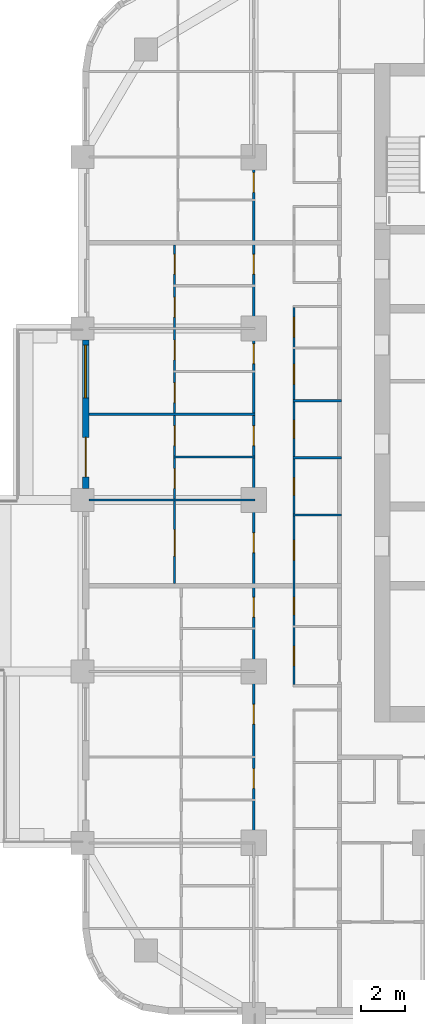
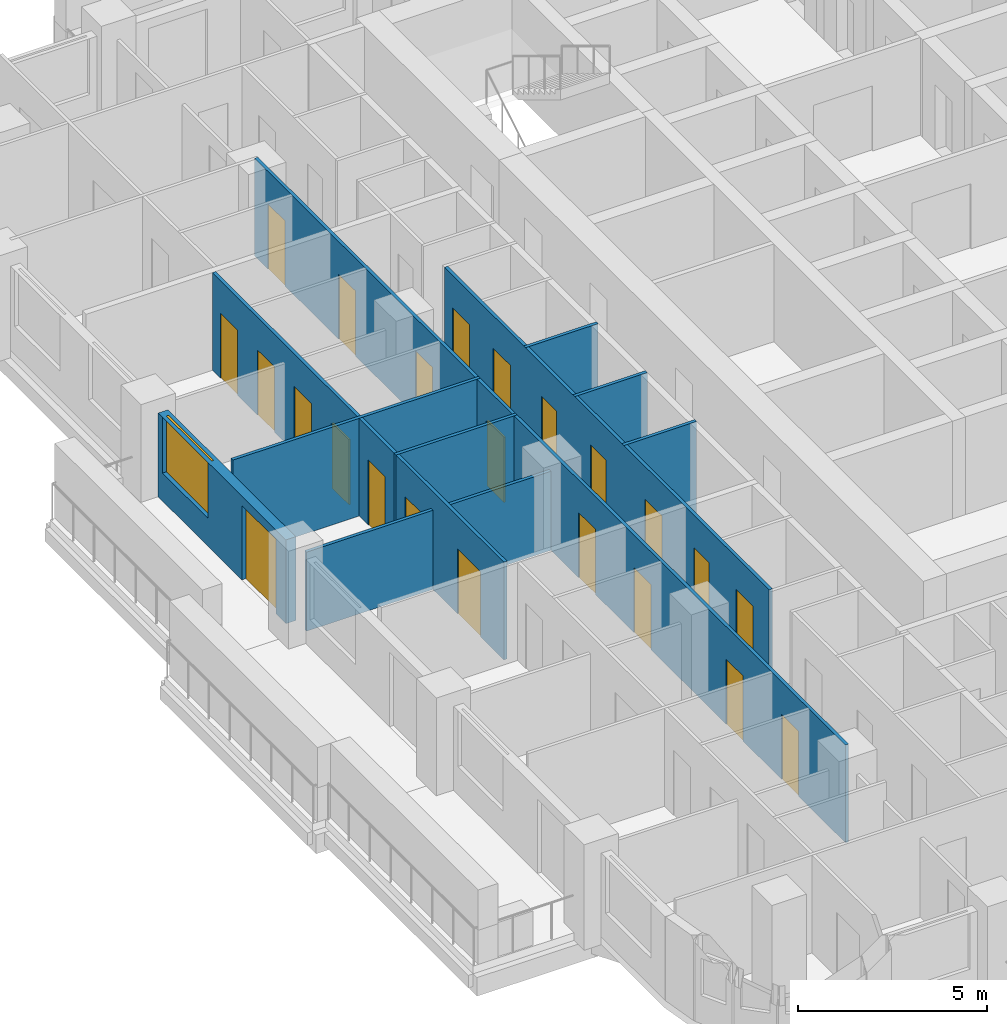
# One storey, part 5 of 17: 23 doors, 10 walls, 1 window, 24 openings.
"""IFC4 building model written with IfcOpenShell, lengths in metres."""

from ifc_helpers import new_model, si_unit, direction, frame, frame_2d, origin, place, context, subcontext, project, spatial, rectangle, extrude, material, layer, layer_set, type_object, element, fill, save


model = new_model("IFC4")

# Units and contexts
model_context = context("Model", 3, precision=1e-05, world=origin(), true_north=direction((0.0, 1.0)))
body_context = subcontext(model_context, "Body", "Model", "MODEL_VIEW")
ifc_project = project(units=[si_unit("LENGTHUNIT", "METRE"), si_unit("AREAUNIT", "SQUARE_METRE"), si_unit("VOLUMEUNIT", "CUBIC_METRE"), si_unit("PLANEANGLEUNIT", "RADIAN"), si_unit("MASSUNIT", "GRAM", prefix="KILO")], contexts=[model_context])

# Site, building, storey
site_placement = place(None, origin())
site = spatial("IfcSite", under=ifc_project, at=site_placement, CompositionType="ELEMENT")
building_placement = place(site_placement, origin())
building = spatial("IfcBuilding", under=site, at=building_placement, Name="Ludao Terraces", CompositionType="ELEMENT")
storey_placement = place(building_placement, frame((0.0, 0.0, 54.60009765625)))
storey = spatial("IfcBuildingStorey", under=building, at=storey_placement, Name="L14", CompositionType="ELEMENT", Elevation=54.60009765625)

# Wall, openings, door, window
ifc_material_1 = material(Name="Granite cladding", Category="masonry")
ifc_layer_1 = layer(ifc_material_1, 0.0400390625, Category="stone")
ifc_material_2 = material(Name="Mineral wool")
ifc_layer_2 = layer(ifc_material_2, 0.06005859375)
ifc_material_3 = material(Name="Concrete C40", Category="concrete")
ifc_layer_3 = layer(ifc_material_3, 0.199951171875, Category="concrete")
ifc_layer_set_1 = layer_set([ifc_layer_1, ifc_layer_2, ifc_layer_3], Name="ENV Stone-clad wall 300")
wall_type_1 = type_object("IfcWallType", Name="ENV Stone-clad wall 300", PredefinedType="SOLIDWALL", material=ifc_layer_set_1)
wall_1_placement = place(storey_placement, frame((61.75, 65.52490234375, 0.0), z_axis=(0.0, 0.0, 1.0), x_axis=(0.0, 1.0, 0.0)))
wall_1 = element("IfcWall", 1, at=wall_1_placement, inside=storey, type_object=wall_type_1, Name="EW-L14-W4", PredefinedType="SOLIDWALL", context=body_context, shape_type="SweptSolid", body=[
    extrude(rectangle(XDim=6.75, YDim=0.300048828125, at=frame_2d((3.375, 0.0))), origin(), (0.0, 0.0, 1.0), 2.699951171875),
])
opening_1_placement = place(wall_1_placement, frame((0.52490234375, 0.0, 0.0)))
opening_1 = element("IfcOpeningElement", 2, at=opening_1_placement, cuts=wall_1, Name="Opening BD", PredefinedType="OPENING", context=body_context, shape_type="SweptSolid", body=[
    extrude(rectangle(XDim=1.800048828125, YDim=2.39990234375, at=frame_2d((0.89990234375, 1.199951171875))), frame((0.0, 0.16015625, 0.0), z_axis=(0.0, -1.0, 0.0), x_axis=(1.0, 0.0, 0.0)), (0.0, 0.0, 1.0), 0.320068359375),
])
opening_2_placement = place(wall_1_placement, frame((4.125, 0.0, 0.89990234375)))
opening_2 = element("IfcOpeningElement", 3, at=opening_2_placement, cuts=wall_1, Name="Opening W1", PredefinedType="OPENING", context=body_context, shape_type="SweptSolid", body=[
    extrude(rectangle(XDim=2.39990234375, YDim=1.800048828125, at=frame_2d((1.199951171875, 0.89990234375))), frame((0.0, 0.16015625, 0.0), z_axis=(0.0, -1.0, 0.0), x_axis=(1.0, 0.0, 0.0)), (0.0, 0.0, 1.0), 0.320068359375),
])
ifc_material_4 = material(Name="Aluminium glazed door", Category="aluminium")
ifc_layer_4 = layer(ifc_material_4, 0.06005859375)
ifc_layer_set_2 = layer_set([ifc_layer_4], Name="ENV Balcony door BD 1800x2400")
door_type_1 = type_object("IfcDoorType", Name="ENV Balcony door BD 1800x2400", OperationType="DOUBLE_DOOR_SINGLE_SWING", PredefinedType="DOOR", material=ifc_layer_set_2)
door_1_placement = place(opening_1_placement, origin())
door_1 = element("IfcDoor", 4, at=door_1_placement, inside=storey, type_object=door_type_1, Name="BD-L14-W4-1", OperationType="DOUBLE_DOOR_SINGLE_SWING", OverallHeight=2.39990234375, OverallWidth=1.800048828125, PredefinedType="DOOR", context=body_context, shape_type="SweptSolid", body=[
    extrude(rectangle(XDim=1.800048828125, YDim=2.39990234375, at=frame_2d((0.89990234375, 1.199951171875))), frame((0.0, 0.02490234375, 0.0), z_axis=(0.0, -1.0, 0.0), x_axis=(1.0, 0.0, 0.0)), (0.0, 0.0, 1.0), 0.050048828125),
])
fill(opening_1, door_1)
ifc_material_5 = material(Name="Clear glass in aluminium frame", Category="aluminium")
ifc_layer_5 = layer(ifc_material_5, 0.06005859375)
ifc_layer_set_3 = layer_set([ifc_layer_5], Name="ENV Window W1 2400x1800")
window_type = type_object("IfcWindowType", Name="ENV Window W1 2400x1800", PartitioningType="DOUBLE_PANEL_VERTICAL", PredefinedType="WINDOW", material=ifc_layer_set_3)
window_placement = place(opening_2_placement, origin())
window = element("IfcWindow", 5, at=window_placement, inside=storey, type_object=window_type, Name="W-L14-W4-2", OverallHeight=1.800048828125, OverallWidth=2.39990234375, PartitioningType="DOUBLE_PANEL_VERTICAL", PredefinedType="WINDOW", context=body_context, shape_type="SweptSolid", body=[
    extrude(rectangle(XDim=2.39990234375, YDim=1.800048828125, at=frame_2d((1.199951171875, 0.89990234375))), frame((0.0, 0.030029296875, 0.0), z_axis=(0.0, -1.0, 0.0), x_axis=(1.0, 0.0, 0.0)), (0.0, 0.0, 1.0), 0.06005859375),
])
fill(opening_2, window)

# Walls
ifc_material_6 = material(Name="Gypsum plasterboard", Category="gypsum")
ifc_layer_6 = layer(ifc_material_6, 0.012451171875, Category="gypsum")
ifc_layer_7 = layer(ifc_material_2, 0.06005859375, Name="insulation")
ifc_material_7 = material(Name="Steel Q235", Category="steel")
ifc_layer_8 = layer(ifc_material_7, 0.014892578125, Name="stud")
ifc_layer_9 = layer(ifc_material_6, 0.012451171875, Category="gypsum")
ifc_layer_set_4 = layer_set([ifc_layer_6, ifc_layer_7, ifc_layer_8, ifc_layer_9], Name="INT Partition 100")
wall_type_2 = type_object("IfcWallType", Name="INT Partition 100", PredefinedType="PARTITIONING", material=ifc_layer_set_4)
wall_2_placement = place(storey_placement, frame((71.18017578125, 64.320068359375, 0.0), z_axis=(0.0, 0.0, 1.0), x_axis=(1.0, 0.0, 0.0)))
element("IfcWall", 6, at=wall_2_placement, inside=storey, type_object=wall_type_2, Name="PW-L14-PW038", PredefinedType="PARTITIONING", context=body_context, shape_type="SweptSolid", body=[
    extrude(rectangle(XDim=2.219970703125, YDim=0.10009765625, at=frame_2d((1.10986328125, 0.0))), origin(), (0.0, 0.0, 1.0), 3.14990234375),
])
wall_3_placement = place(storey_placement, frame((61.900146484375, 65.0, 0.0), z_axis=(0.0, 0.0, 1.0), x_axis=(1.0, 0.0, 0.0)))
element("IfcWall", 7, at=wall_3_placement, inside=storey, type_object=wall_type_2, Name="PW-L14-PW039", PredefinedType="PARTITIONING", context=body_context, shape_type="SweptSolid", body=[
    extrude(rectangle(XDim=7.550048828125, YDim=0.10009765625, at=frame_2d((3.77490234375, 0.0))), origin(), (0.0, 0.0, 1.0), 2.5498046875),
])
wall_4_placement = place(storey_placement, frame((71.18017578125, 66.919921875, 0.0), z_axis=(0.0, 0.0, 1.0), x_axis=(1.0, 0.0, 0.0)))
element("IfcWall", 8, at=wall_4_placement, inside=storey, type_object=wall_type_2, Name="PW-L14-PW042", PredefinedType="PARTITIONING", context=body_context, shape_type="SweptSolid", body=[
    extrude(rectangle(XDim=2.219970703125, YDim=0.10009765625, at=frame_2d((1.10986328125, 0.0))), origin(), (0.0, 0.0, 1.0), 3.14990234375),
])
wall_5_placement = place(storey_placement, frame((65.75, 66.949951171875, 0.0), z_axis=(0.0, 0.0, 1.0), x_axis=(1.0, 0.0, 0.0)))
element("IfcWall", 9, at=wall_5_placement, inside=storey, type_object=wall_type_2, Name="PW-L14-PW043", PredefinedType="PARTITIONING", context=body_context, shape_type="SweptSolid", body=[
    extrude(rectangle(XDim=3.7001953125, YDim=0.10009765625, at=frame_2d((1.85009765625, 0.0))), origin(), (0.0, 0.0, 1.0), 3.14990234375),
])
wall_6_placement = place(storey_placement, frame((61.900146484375, 68.89990234375, 0.0), z_axis=(0.0, 0.0, 1.0), x_axis=(1.0, 0.0, 0.0)))
element("IfcWall", 10, at=wall_6_placement, inside=storey, type_object=wall_type_2, Name="PW-L14-PW045", PredefinedType="PARTITIONING", context=body_context, shape_type="SweptSolid", body=[
    extrude(rectangle(XDim=7.550048828125, YDim=0.10009765625, at=frame_2d((3.77490234375, 0.0))), origin(), (0.0, 0.0, 1.0), 3.14990234375),
])
wall_7_placement = place(storey_placement, frame((71.18017578125, 69.52001953125, 0.0), z_axis=(0.0, 0.0, 1.0), x_axis=(1.0, 0.0, 0.0)))
element("IfcWall", 11, at=wall_7_placement, inside=storey, type_object=wall_type_2, Name="PW-L14-PW047", PredefinedType="PARTITIONING", context=body_context, shape_type="SweptSolid", body=[
    extrude(rectangle(XDim=2.219970703125, YDim=0.10009765625, at=frame_2d((1.10986328125, 0.0))), origin(), (0.0, 0.0, 1.0), 3.14990234375),
])

# Wall, openings, doors
wall_8_placement = place(storey_placement, frame((65.800048828125, 61.2001953125, 0.0), z_axis=(0.0, 0.0, 1.0), x_axis=(0.0, 1.0, 0.0)))
wall_8 = element("IfcWall", 12, at=wall_8_placement, inside=storey, type_object=wall_type_2, Name="PW-L14-PW080", PredefinedType="PARTITIONING", context=body_context, shape_type="SweptSolid", body=[
    extrude(rectangle(XDim=15.39990234375, YDim=0.10009765625, at=frame_2d((7.699951171875, 0.0))), origin(), (0.0, 0.0, 1.0), 3.14990234375),
])
opening_3_placement = place(wall_8_placement, frame((1.25, 0.0, 0.0)))
opening_3 = element("IfcOpeningElement", 13, at=opening_3_placement, cuts=wall_8, Name="Opening R04-077", PredefinedType="OPENING", context=body_context, shape_type="SweptSolid", body=[
    extrude(rectangle(XDim=1.199951171875, YDim=2.10009765625, at=frame_2d((0.60009765625, 1.050048828125))), frame((0.0, 0.06005859375, 0.0), z_axis=(0.0, -1.0, 0.0), x_axis=(1.0, 0.0, 0.0)), (0.0, 0.0, 1.0), 0.1201171875),
])
opening_4_placement = place(wall_8_placement, frame((4.324951171875, 0.0, 0.0)))
opening_4 = element("IfcOpeningElement", 14, at=opening_4_placement, cuts=wall_8, Name="Opening R04-086", PredefinedType="OPENING", context=body_context, shape_type="SweptSolid", body=[
    extrude(rectangle(XDim=0.89990234375, YDim=2.10009765625, at=frame_2d((0.449951171875, 1.050048828125))), frame((0.0, 0.06005859375, 0.0), z_axis=(0.0, -1.0, 0.0), x_axis=(1.0, 0.0, 0.0)), (0.0, 0.0, 1.0), 0.1201171875),
])
opening_5_placement = place(wall_8_placement, frame((6.27490234375, 0.0, 0.0)))
opening_5 = element("IfcOpeningElement", 15, at=opening_5_placement, cuts=wall_8, Name="Opening R04-093", PredefinedType="OPENING", context=body_context, shape_type="SweptSolid", body=[
    extrude(rectangle(XDim=0.89990234375, YDim=2.10009765625, at=frame_2d((0.449951171875, 1.050048828125))), frame((0.0, 0.06005859375, 0.0), z_axis=(0.0, -1.0, 0.0), x_axis=(1.0, 0.0, 0.0)), (0.0, 0.0, 1.0), 0.1201171875),
])
opening_6_placement = place(wall_8_placement, frame((8.224853515625, 0.0, 0.0)))
opening_6 = element("IfcOpeningElement", 16, at=opening_6_placement, cuts=wall_8, Name="Opening R04-097", PredefinedType="OPENING", context=body_context, shape_type="SweptSolid", body=[
    extrude(rectangle(XDim=0.89990234375, YDim=2.10009765625, at=frame_2d((0.449951171875, 1.050048828125))), frame((0.0, 0.06005859375, 0.0), z_axis=(0.0, -1.0, 0.0), x_axis=(1.0, 0.0, 0.0)), (0.0, 0.0, 1.0), 0.1201171875),
])
opening_7_placement = place(wall_8_placement, frame((10.1748046875, 0.0, 0.0)))
opening_7 = element("IfcOpeningElement", 17, at=opening_7_placement, cuts=wall_8, Name="Opening R04-105", PredefinedType="OPENING", context=body_context, shape_type="SweptSolid", body=[
    extrude(rectangle(XDim=0.89990234375, YDim=2.10009765625, at=frame_2d((0.449951171875, 1.050048828125))), frame((0.0, 0.06005859375, 0.0), z_axis=(0.0, -1.0, 0.0), x_axis=(1.0, 0.0, 0.0)), (0.0, 0.0, 1.0), 0.1201171875),
])
opening_8_placement = place(wall_8_placement, frame((12.125, 0.0, 0.0)))
opening_8 = element("IfcOpeningElement", 18, at=opening_8_placement, cuts=wall_8, Name="Opening R04-112", PredefinedType="OPENING", context=body_context, shape_type="SweptSolid", body=[
    extrude(rectangle(XDim=0.89990234375, YDim=2.10009765625, at=frame_2d((0.449951171875, 1.050048828125))), frame((0.0, 0.06005859375, 0.0), z_axis=(0.0, -1.0, 0.0), x_axis=(1.0, 0.0, 0.0)), (0.0, 0.0, 1.0), 0.1201171875),
])
opening_9_placement = place(wall_8_placement, frame((14.074951171875, 0.0, 0.0)))
opening_9 = element("IfcOpeningElement", 19, at=opening_9_placement, cuts=wall_8, Name="Opening R04-120", PredefinedType="OPENING", context=body_context, shape_type="SweptSolid", body=[
    extrude(rectangle(XDim=0.89990234375, YDim=2.10009765625, at=frame_2d((0.449951171875, 1.050048828125))), frame((0.0, 0.06005859375, 0.0), z_axis=(0.0, -1.0, 0.0), x_axis=(1.0, 0.0, 0.0)), (0.0, 0.0, 1.0), 0.1201171875),
])
ifc_material_8 = material(Name="Timber door leaf", Category="wood")
door_type_2 = type_object("IfcDoorType", Name="INT Bathroom door 900", OperationType="SINGLE_SWING_LEFT", PredefinedType="DOOR", material=ifc_material_8)
door_2_placement = place(opening_4_placement, origin())
door_2 = element("IfcDoor", 20, at=door_2_placement, inside=storey, type_object=door_type_2, Name="DOOR 086", OperationType="SINGLE_SWING_RIGHT", OverallHeight=2.10009765625, OverallWidth=0.89990234375, PredefinedType="DOOR", context=body_context, shape_type="SweptSolid", body=[
    extrude(rectangle(XDim=0.89990234375, YDim=2.10009765625, at=frame_2d((0.449951171875, 1.050048828125))), frame((0.0, 0.02490234375, 0.0), z_axis=(0.0, -1.0, 0.0), x_axis=(1.0, 0.0, 0.0)), (0.0, 0.0, 1.0), 0.050048828125),
])
fill(opening_4, door_2)
door_3_placement = place(opening_6_placement, origin())
door_3 = element("IfcDoor", 21, at=door_3_placement, inside=storey, type_object=door_type_2, Name="DOOR 097", OperationType="SINGLE_SWING_RIGHT", OverallHeight=2.10009765625, OverallWidth=0.89990234375, PredefinedType="DOOR", context=body_context, shape_type="SweptSolid", body=[
    extrude(rectangle(XDim=0.89990234375, YDim=2.10009765625, at=frame_2d((0.449951171875, 1.050048828125))), frame((0.0, 0.02490234375, 0.0), z_axis=(0.0, -1.0, 0.0), x_axis=(1.0, 0.0, 0.0)), (0.0, 0.0, 1.0), 0.050048828125),
])
fill(opening_6, door_3)
door_4_placement = place(opening_8_placement, origin())
door_4 = element("IfcDoor", 22, at=door_4_placement, inside=storey, type_object=door_type_2, Name="DOOR 112", OperationType="SINGLE_SWING_RIGHT", OverallHeight=2.10009765625, OverallWidth=0.89990234375, PredefinedType="DOOR", context=body_context, shape_type="SweptSolid", body=[
    extrude(rectangle(XDim=0.89990234375, YDim=2.10009765625, at=frame_2d((0.449951171875, 1.050048828125))), frame((0.0, 0.02490234375, 0.0), z_axis=(0.0, -1.0, 0.0), x_axis=(1.0, 0.0, 0.0)), (0.0, 0.0, 1.0), 0.050048828125),
])
fill(opening_8, door_4)
door_type_3 = type_object("IfcDoorType", Name="INT Double door 1200", OperationType="DOUBLE_DOOR_SINGLE_SWING", PredefinedType="DOOR", material=ifc_material_8)
door_5_placement = place(opening_3_placement, origin())
door_5 = element("IfcDoor", 23, at=door_5_placement, inside=storey, type_object=door_type_3, Name="DOOR 077", OperationType="DOUBLE_DOOR_SINGLE_SWING", OverallHeight=2.10009765625, OverallWidth=1.199951171875, PredefinedType="DOOR", context=body_context, shape_type="SweptSolid", body=[
    extrude(rectangle(XDim=1.199951171875, YDim=2.10009765625, at=frame_2d((0.60009765625, 1.050048828125))), frame((0.0, 0.02490234375, 0.0), z_axis=(0.0, -1.0, 0.0), x_axis=(1.0, 0.0, 0.0)), (0.0, 0.0, 1.0), 0.050048828125),
])
fill(opening_3, door_5)
door_type_4 = type_object("IfcDoorType", Name="INT Room door 900", OperationType="SINGLE_SWING_LEFT", PredefinedType="DOOR", material=ifc_material_8)
door_6_placement = place(opening_5_placement, origin())
door_6 = element("IfcDoor", 24, at=door_6_placement, inside=storey, type_object=door_type_4, Name="DOOR 093", OperationType="SINGLE_SWING_LEFT", OverallHeight=2.10009765625, OverallWidth=0.89990234375, PredefinedType="DOOR", context=body_context, shape_type="SweptSolid", body=[
    extrude(rectangle(XDim=0.89990234375, YDim=2.10009765625, at=frame_2d((0.449951171875, 1.050048828125))), frame((0.0, 0.02490234375, 0.0), z_axis=(0.0, -1.0, 0.0), x_axis=(1.0, 0.0, 0.0)), (0.0, 0.0, 1.0), 0.050048828125),
])
fill(opening_5, door_6)
door_7_placement = place(opening_7_placement, origin())
door_7 = element("IfcDoor", 25, at=door_7_placement, inside=storey, type_object=door_type_4, Name="DOOR 105", OperationType="SINGLE_SWING_RIGHT", OverallHeight=2.10009765625, OverallWidth=0.89990234375, PredefinedType="DOOR", context=body_context, shape_type="SweptSolid", body=[
    extrude(rectangle(XDim=0.89990234375, YDim=2.10009765625, at=frame_2d((0.449951171875, 1.050048828125))), frame((0.0, 0.02490234375, 0.0), z_axis=(0.0, -1.0, 0.0), x_axis=(1.0, 0.0, 0.0)), (0.0, 0.0, 1.0), 0.050048828125),
])
fill(opening_7, door_7)
door_8_placement = place(opening_9_placement, origin())
door_8 = element("IfcDoor", 26, at=door_8_placement, inside=storey, type_object=door_type_4, Name="DOOR 120", OperationType="SINGLE_SWING_LEFT", OverallHeight=2.10009765625, OverallWidth=0.89990234375, PredefinedType="DOOR", context=body_context, shape_type="SweptSolid", body=[
    extrude(rectangle(XDim=0.89990234375, YDim=2.10009765625, at=frame_2d((0.449951171875, 1.050048828125))), frame((0.0, 0.02490234375, 0.0), z_axis=(0.0, -1.0, 0.0), x_axis=(1.0, 0.0, 0.0)), (0.0, 0.0, 1.0), 0.050048828125),
])
fill(opening_9, door_8)

wall_9_placement = place(storey_placement, frame((69.39990234375, 49.39990234375, 0.0), z_axis=(0.0, 0.0, 1.0), x_axis=(0.0, 1.0, 0.0)))
wall_9 = element("IfcWall", 27, at=wall_9_placement, inside=storey, type_object=wall_type_2, Name="PW-L14-PW083-2", PredefinedType="PARTITIONING", context=body_context, shape_type="SweptSolid", body=[
    extrude(rectangle(XDim=31.2001953125, YDim=0.10009765625, at=frame_2d((15.60009765625, 0.0))), origin(), (0.0, 0.0, 1.0), 3.14990234375),
])
opening_10_placement = place(wall_9_placement, frame((2.47509765625, 0.0, 0.0)))
opening_10 = element("IfcOpeningElement", 28, at=opening_10_placement, cuts=wall_9, Name="Opening R04-046", PredefinedType="OPENING", context=body_context, shape_type="SweptSolid", body=[
    extrude(rectangle(XDim=0.89990234375, YDim=2.10009765625, at=frame_2d((0.449951171875, 1.050048828125))), frame((0.0, 0.06005859375, 0.0), z_axis=(0.0, -1.0, 0.0), x_axis=(1.0, 0.0, 0.0)), (0.0, 0.0, 1.0), 0.1201171875),
])
opening_11_placement = place(wall_9_placement, frame((5.400146484375, 0.0, 0.0)))
opening_11 = element("IfcOpeningElement", 29, at=opening_11_placement, cuts=wall_9, Name="Opening R04-054", PredefinedType="OPENING", context=body_context, shape_type="SweptSolid", body=[
    extrude(rectangle(XDim=0.89990234375, YDim=2.10009765625, at=frame_2d((0.449951171875, 1.050048828125))), frame((0.0, 0.06005859375, 0.0), z_axis=(0.0, -1.0, 0.0), x_axis=(1.0, 0.0, 0.0)), (0.0, 0.0, 1.0), 0.1201171875),
])
opening_12_placement = place(wall_9_placement, frame((10.275146484375, 0.0, 0.0)))
opening_12 = element("IfcOpeningElement", 30, at=opening_12_placement, cuts=wall_9, Name="Opening R04-068", PredefinedType="OPENING", context=body_context, shape_type="SweptSolid", body=[
    extrude(rectangle(XDim=0.89990234375, YDim=2.10009765625, at=frame_2d((0.449951171875, 1.050048828125))), frame((0.0, 0.06005859375, 0.0), z_axis=(0.0, -1.0, 0.0), x_axis=(1.0, 0.0, 0.0)), (0.0, 0.0, 1.0), 0.1201171875),
])
opening_13_placement = place(wall_9_placement, frame((13.2001953125, 0.0, 0.0)))
opening_13 = element("IfcOpeningElement", 31, at=opening_13_placement, cuts=wall_9, Name="Opening R04-078", PredefinedType="OPENING", context=body_context, shape_type="SweptSolid", body=[
    extrude(rectangle(XDim=0.89990234375, YDim=2.10009765625, at=frame_2d((0.449951171875, 1.050048828125))), frame((0.0, 0.06005859375, 0.0), z_axis=(0.0, -1.0, 0.0), x_axis=(1.0, 0.0, 0.0)), (0.0, 0.0, 1.0), 0.1201171875),
])
opening_14_placement = place(wall_9_placement, frame((18.0751953125, 0.0, 0.0)))
opening_14 = element("IfcOpeningElement", 32, at=opening_14_placement, cuts=wall_9, Name="Opening R04-094", PredefinedType="OPENING", context=body_context, shape_type="SweptSolid", body=[
    extrude(rectangle(XDim=0.89990234375, YDim=2.10009765625, at=frame_2d((0.449951171875, 1.050048828125))), frame((0.0, 0.06005859375, 0.0), z_axis=(0.0, -1.0, 0.0), x_axis=(1.0, 0.0, 0.0)), (0.0, 0.0, 1.0), 0.1201171875),
])
opening_15_placement = place(wall_9_placement, frame((21.80029296875, 0.0, 0.0)))
opening_15 = element("IfcOpeningElement", 33, at=opening_15_placement, cuts=wall_9, Name="Opening R04-103", PredefinedType="OPENING", context=body_context, shape_type="SweptSolid", body=[
    extrude(rectangle(XDim=0.89990234375, YDim=2.10009765625, at=frame_2d((0.449951171875, 1.050048828125))), frame((0.0, 0.06005859375, 0.0), z_axis=(0.0, -1.0, 0.0), x_axis=(1.0, 0.0, 0.0)), (0.0, 0.0, 1.0), 0.1201171875),
])
opening_16_placement = place(wall_9_placement, frame((25.875244140625, 0.0, 0.0)))
opening_16 = element("IfcOpeningElement", 34, at=opening_16_placement, cuts=wall_9, Name="Opening R04-121", PredefinedType="OPENING", context=body_context, shape_type="SweptSolid", body=[
    extrude(rectangle(XDim=0.89990234375, YDim=2.10009765625, at=frame_2d((0.449951171875, 1.050048828125))), frame((0.0, 0.06005859375, 0.0), z_axis=(0.0, -1.0, 0.0), x_axis=(1.0, 0.0, 0.0)), (0.0, 0.0, 1.0), 0.1201171875),
])
opening_17_placement = place(wall_9_placement, frame((29.60009765625, 0.0, 0.0)))
opening_17 = element("IfcOpeningElement", 35, at=opening_17_placement, cuts=wall_9, Name="Opening R04-135", PredefinedType="OPENING", context=body_context, shape_type="SweptSolid", body=[
    extrude(rectangle(XDim=0.89990234375, YDim=2.10009765625, at=frame_2d((0.449951171875, 1.050048828125))), frame((0.0, 0.06005859375, 0.0), z_axis=(0.0, -1.0, 0.0), x_axis=(1.0, 0.0, 0.0)), (0.0, 0.0, 1.0), 0.1201171875),
])
door_9_placement = place(opening_10_placement, origin())
door_9 = element("IfcDoor", 36, at=door_9_placement, inside=storey, type_object=door_type_4, Name="DOOR 046", OperationType="SINGLE_SWING_RIGHT", OverallHeight=2.10009765625, OverallWidth=0.89990234375, PredefinedType="DOOR", context=body_context, shape_type="SweptSolid", body=[
    extrude(rectangle(XDim=0.89990234375, YDim=2.10009765625, at=frame_2d((0.449951171875, 1.050048828125))), frame((0.0, 0.02490234375, 0.0), z_axis=(0.0, -1.0, 0.0), x_axis=(1.0, 0.0, 0.0)), (0.0, 0.0, 1.0), 0.050048828125),
])
fill(opening_10, door_9)
door_10_placement = place(opening_11_placement, origin())
door_10 = element("IfcDoor", 37, at=door_10_placement, inside=storey, type_object=door_type_4, Name="DOOR 054", OperationType="SINGLE_SWING_RIGHT", OverallHeight=2.10009765625, OverallWidth=0.89990234375, PredefinedType="DOOR", context=body_context, shape_type="SweptSolid", body=[
    extrude(rectangle(XDim=0.89990234375, YDim=2.10009765625, at=frame_2d((0.449951171875, 1.050048828125))), frame((0.0, 0.02490234375, 0.0), z_axis=(0.0, -1.0, 0.0), x_axis=(1.0, 0.0, 0.0)), (0.0, 0.0, 1.0), 0.050048828125),
])
fill(opening_11, door_10)
door_11_placement = place(opening_12_placement, origin())
door_11 = element("IfcDoor", 38, at=door_11_placement, inside=storey, type_object=door_type_4, Name="DOOR 068", OperationType="SINGLE_SWING_LEFT", OverallHeight=2.10009765625, OverallWidth=0.89990234375, PredefinedType="DOOR", context=body_context, shape_type="SweptSolid", body=[
    extrude(rectangle(XDim=0.89990234375, YDim=2.10009765625, at=frame_2d((0.449951171875, 1.050048828125))), frame((0.0, 0.02490234375, 0.0), z_axis=(0.0, -1.0, 0.0), x_axis=(1.0, 0.0, 0.0)), (0.0, 0.0, 1.0), 0.050048828125),
])
fill(opening_12, door_11)
door_12_placement = place(opening_13_placement, origin())
door_12 = element("IfcDoor", 39, at=door_12_placement, inside=storey, type_object=door_type_4, Name="DOOR 078", OperationType="SINGLE_SWING_LEFT", OverallHeight=2.10009765625, OverallWidth=0.89990234375, PredefinedType="DOOR", context=body_context, shape_type="SweptSolid", body=[
    extrude(rectangle(XDim=0.89990234375, YDim=2.10009765625, at=frame_2d((0.449951171875, 1.050048828125))), frame((0.0, 0.02490234375, 0.0), z_axis=(0.0, -1.0, 0.0), x_axis=(1.0, 0.0, 0.0)), (0.0, 0.0, 1.0), 0.050048828125),
])
fill(opening_13, door_12)
door_13_placement = place(opening_14_placement, origin())
door_13 = element("IfcDoor", 40, at=door_13_placement, inside=storey, type_object=door_type_4, Name="DOOR 094", OperationType="SINGLE_SWING_RIGHT", OverallHeight=2.10009765625, OverallWidth=0.89990234375, PredefinedType="DOOR", context=body_context, shape_type="SweptSolid", body=[
    extrude(rectangle(XDim=0.89990234375, YDim=2.10009765625, at=frame_2d((0.449951171875, 1.050048828125))), frame((0.0, 0.02490234375, 0.0), z_axis=(0.0, -1.0, 0.0), x_axis=(1.0, 0.0, 0.0)), (0.0, 0.0, 1.0), 0.050048828125),
])
fill(opening_14, door_13)
door_14_placement = place(opening_15_placement, origin())
door_14 = element("IfcDoor", 41, at=door_14_placement, inside=storey, type_object=door_type_4, Name="DOOR 103", OperationType="SINGLE_SWING_LEFT", OverallHeight=2.10009765625, OverallWidth=0.89990234375, PredefinedType="DOOR", context=body_context, shape_type="SweptSolid", body=[
    extrude(rectangle(XDim=0.89990234375, YDim=2.10009765625, at=frame_2d((0.449951171875, 1.050048828125))), frame((0.0, 0.02490234375, 0.0), z_axis=(0.0, -1.0, 0.0), x_axis=(1.0, 0.0, 0.0)), (0.0, 0.0, 1.0), 0.050048828125),
])
fill(opening_15, door_14)
door_15_placement = place(opening_16_placement, origin())
door_15 = element("IfcDoor", 42, at=door_15_placement, inside=storey, type_object=door_type_4, Name="DOOR 121", OperationType="SINGLE_SWING_RIGHT", OverallHeight=2.10009765625, OverallWidth=0.89990234375, PredefinedType="DOOR", context=body_context, shape_type="SweptSolid", body=[
    extrude(rectangle(XDim=0.89990234375, YDim=2.10009765625, at=frame_2d((0.449951171875, 1.050048828125))), frame((0.0, 0.02490234375, 0.0), z_axis=(0.0, -1.0, 0.0), x_axis=(1.0, 0.0, 0.0)), (0.0, 0.0, 1.0), 0.050048828125),
])
fill(opening_16, door_15)
door_16_placement = place(opening_17_placement, origin())
door_16 = element("IfcDoor", 43, at=door_16_placement, inside=storey, type_object=door_type_4, Name="DOOR 135", OperationType="SINGLE_SWING_LEFT", OverallHeight=2.10009765625, OverallWidth=0.89990234375, PredefinedType="DOOR", context=body_context, shape_type="SweptSolid", body=[
    extrude(rectangle(XDim=0.89990234375, YDim=2.10009765625, at=frame_2d((0.449951171875, 1.050048828125))), frame((0.0, 0.02490234375, 0.0), z_axis=(0.0, -1.0, 0.0), x_axis=(1.0, 0.0, 0.0)), (0.0, 0.0, 1.0), 0.050048828125),
])
fill(opening_17, door_16)

wall_10_placement = place(storey_placement, frame((71.22998046875, 56.60009765625, 0.0), z_axis=(0.0, 0.0, 1.0), x_axis=(0.0, 1.0, 0.0)))
wall_10 = element("IfcWall", 44, at=wall_10_placement, inside=storey, type_object=wall_type_2, Name="PW-L14-PW085", PredefinedType="PARTITIONING", context=body_context, shape_type="SweptSolid", body=[
    extrude(rectangle(XDim=17.14990234375, YDim=0.10009765625, at=frame_2d((8.574951171875, 0.0))), origin(), (0.0, 0.0, 1.0), 3.14990234375),
])
opening_18_placement = place(wall_10_placement, frame((0.85009765625, 0.0, 0.0)))
opening_18 = element("IfcOpeningElement", 45, at=opening_18_placement, cuts=wall_10, Name="Opening R04-063", PredefinedType="OPENING", context=body_context, shape_type="SweptSolid", body=[
    extrude(rectangle(XDim=0.89990234375, YDim=2.10009765625, at=frame_2d((0.449951171875, 1.050048828125))), frame((0.0, 0.06005859375, 0.0), z_axis=(0.0, -1.0, 0.0), x_axis=(1.0, 0.0, 0.0)), (0.0, 0.0, 1.0), 0.1201171875),
])
opening_19_placement = place(wall_10_placement, frame((3.175048828125, 0.0, 0.0)))
opening_19 = element("IfcOpeningElement", 46, at=opening_19_placement, cuts=wall_10, Name="Opening R04-071", PredefinedType="OPENING", context=body_context, shape_type="SweptSolid", body=[
    extrude(rectangle(XDim=0.800048828125, YDim=2.10009765625, at=frame_2d((0.39990234375, 1.050048828125))), frame((0.0, 0.06005859375, 0.0), z_axis=(0.0, -1.0, 0.0), x_axis=(1.0, 0.0, 0.0)), (0.0, 0.0, 1.0), 0.1201171875),
])
opening_20_placement = place(wall_10_placement, frame((5.659912109375, 0.0, 0.0)))
opening_20 = element("IfcOpeningElement", 47, at=opening_20_placement, cuts=wall_10, Name="Opening R04-075", PredefinedType="OPENING", context=body_context, shape_type="SweptSolid", body=[
    extrude(rectangle(XDim=0.89990234375, YDim=2.10009765625, at=frame_2d((0.449951171875, 1.050048828125))), frame((0.0, 0.06005859375, 0.0), z_axis=(0.0, -1.0, 0.0), x_axis=(1.0, 0.0, 0.0)), (0.0, 0.0, 1.0), 0.1201171875),
])
opening_21_placement = place(wall_10_placement, frame((8.6201171875, 0.0, 0.0)))
opening_21 = element("IfcOpeningElement", 48, at=opening_21_placement, cuts=wall_10, Name="Opening R04-084", PredefinedType="OPENING", context=body_context, shape_type="SweptSolid", body=[
    extrude(rectangle(XDim=0.800048828125, YDim=2.10009765625, at=frame_2d((0.39990234375, 1.050048828125))), frame((0.0, 0.06005859375, 0.0), z_axis=(0.0, -1.0, 0.0), x_axis=(1.0, 0.0, 0.0)), (0.0, 0.0, 1.0), 0.1201171875),
])
opening_22_placement = place(wall_10_placement, frame((11.219970703125, 0.0, 0.0)))
opening_22 = element("IfcOpeningElement", 49, at=opening_22_placement, cuts=wall_10, Name="Opening R04-095", PredefinedType="OPENING", context=body_context, shape_type="SweptSolid", body=[
    extrude(rectangle(XDim=0.800048828125, YDim=2.10009765625, at=frame_2d((0.39990234375, 1.050048828125))), frame((0.0, 0.06005859375, 0.0), z_axis=(0.0, -1.0, 0.0), x_axis=(1.0, 0.0, 0.0)), (0.0, 0.0, 1.0), 0.1201171875),
])
opening_23_placement = place(wall_10_placement, frame((13.669921875, 0.0, 0.0)))
opening_23 = element("IfcOpeningElement", 50, at=opening_23_placement, cuts=wall_10, Name="Opening R04-100", PredefinedType="OPENING", context=body_context, shape_type="SweptSolid", body=[
    extrude(rectangle(XDim=0.89990234375, YDim=2.10009765625, at=frame_2d((0.449951171875, 1.050048828125))), frame((0.0, 0.06005859375, 0.0), z_axis=(0.0, -1.0, 0.0), x_axis=(1.0, 0.0, 0.0)), (0.0, 0.0, 1.0), 0.1201171875),
])
opening_24_placement = place(wall_10_placement, frame((15.81005859375, 0.0, 0.0)))
opening_24 = element("IfcOpeningElement", 51, at=opening_24_placement, cuts=wall_10, Name="Opening R04-111", PredefinedType="OPENING", context=body_context, shape_type="SweptSolid", body=[
    extrude(rectangle(XDim=0.89990234375, YDim=2.10009765625, at=frame_2d((0.449951171875, 1.050048828125))), frame((0.0, 0.06005859375, 0.0), z_axis=(0.0, -1.0, 0.0), x_axis=(1.0, 0.0, 0.0)), (0.0, 0.0, 1.0), 0.1201171875),
])
door_17_placement = place(opening_23_placement, origin())
door_17 = element("IfcDoor", 52, at=door_17_placement, inside=storey, type_object=door_type_2, Name="DOOR 100", OperationType="SINGLE_SWING_RIGHT", OverallHeight=2.10009765625, OverallWidth=0.89990234375, PredefinedType="DOOR", context=body_context, shape_type="SweptSolid", body=[
    extrude(rectangle(XDim=0.89990234375, YDim=2.10009765625, at=frame_2d((0.449951171875, 1.050048828125))), frame((0.0, 0.02490234375, 0.0), z_axis=(0.0, -1.0, 0.0), x_axis=(1.0, 0.0, 0.0)), (0.0, 0.0, 1.0), 0.050048828125),
])
fill(opening_23, door_17)
door_18_placement = place(opening_24_placement, origin())
door_18 = element("IfcDoor", 53, at=door_18_placement, inside=storey, type_object=door_type_2, Name="DOOR 111", OperationType="SINGLE_SWING_RIGHT", OverallHeight=2.10009765625, OverallWidth=0.89990234375, PredefinedType="DOOR", context=body_context, shape_type="SweptSolid", body=[
    extrude(rectangle(XDim=0.89990234375, YDim=2.10009765625, at=frame_2d((0.449951171875, 1.050048828125))), frame((0.0, 0.02490234375, 0.0), z_axis=(0.0, -1.0, 0.0), x_axis=(1.0, 0.0, 0.0)), (0.0, 0.0, 1.0), 0.050048828125),
])
fill(opening_24, door_18)
door_19_placement = place(opening_18_placement, origin())
door_19 = element("IfcDoor", 54, at=door_19_placement, inside=storey, type_object=door_type_4, Name="DOOR 063", OperationType="SINGLE_SWING_RIGHT", OverallHeight=2.10009765625, OverallWidth=0.89990234375, PredefinedType="DOOR", context=body_context, shape_type="SweptSolid", body=[
    extrude(rectangle(XDim=0.89990234375, YDim=2.10009765625, at=frame_2d((0.449951171875, 1.050048828125))), frame((0.0, 0.02490234375, 0.0), z_axis=(0.0, -1.0, 0.0), x_axis=(1.0, 0.0, 0.0)), (0.0, 0.0, 1.0), 0.050048828125),
])
fill(opening_18, door_19)
door_20_placement = place(opening_20_placement, origin())
door_20 = element("IfcDoor", 55, at=door_20_placement, inside=storey, type_object=door_type_4, Name="DOOR 075", OperationType="SINGLE_SWING_RIGHT", OverallHeight=2.10009765625, OverallWidth=0.89990234375, PredefinedType="DOOR", context=body_context, shape_type="SweptSolid", body=[
    extrude(rectangle(XDim=0.89990234375, YDim=2.10009765625, at=frame_2d((0.449951171875, 1.050048828125))), frame((0.0, 0.02490234375, 0.0), z_axis=(0.0, -1.0, 0.0), x_axis=(1.0, 0.0, 0.0)), (0.0, 0.0, 1.0), 0.050048828125),
])
fill(opening_20, door_20)
door_type_5 = type_object("IfcDoorType", Name="INT Store door 800", OperationType="SINGLE_SWING_LEFT", PredefinedType="DOOR", material=ifc_material_8)
door_21_placement = place(opening_19_placement, origin())
door_21 = element("IfcDoor", 56, at=door_21_placement, inside=storey, type_object=door_type_5, Name="DOOR 071", OperationType="SINGLE_SWING_LEFT", OverallHeight=2.10009765625, OverallWidth=0.800048828125, PredefinedType="DOOR", context=body_context, shape_type="SweptSolid", body=[
    extrude(rectangle(XDim=0.800048828125, YDim=2.10009765625, at=frame_2d((0.39990234375, 1.050048828125))), frame((0.0, 0.02490234375, 0.0), z_axis=(0.0, -1.0, 0.0), x_axis=(1.0, 0.0, 0.0)), (0.0, 0.0, 1.0), 0.050048828125),
])
fill(opening_19, door_21)
door_22_placement = place(opening_21_placement, origin())
door_22 = element("IfcDoor", 57, at=door_22_placement, inside=storey, type_object=door_type_5, Name="DOOR 084", OperationType="SINGLE_SWING_RIGHT", OverallHeight=2.10009765625, OverallWidth=0.800048828125, PredefinedType="DOOR", context=body_context, shape_type="SweptSolid", body=[
    extrude(rectangle(XDim=0.800048828125, YDim=2.10009765625, at=frame_2d((0.39990234375, 1.050048828125))), frame((0.0, 0.02490234375, 0.0), z_axis=(0.0, -1.0, 0.0), x_axis=(1.0, 0.0, 0.0)), (0.0, 0.0, 1.0), 0.050048828125),
])
fill(opening_21, door_22)
door_23_placement = place(opening_22_placement, origin())
door_23 = element("IfcDoor", 58, at=door_23_placement, inside=storey, type_object=door_type_5, Name="DOOR 095", OperationType="SINGLE_SWING_RIGHT", OverallHeight=2.10009765625, OverallWidth=0.800048828125, PredefinedType="DOOR", context=body_context, shape_type="SweptSolid", body=[
    extrude(rectangle(XDim=0.800048828125, YDim=2.10009765625, at=frame_2d((0.39990234375, 1.050048828125))), frame((0.0, 0.02490234375, 0.0), z_axis=(0.0, -1.0, 0.0), x_axis=(1.0, 0.0, 0.0)), (0.0, 0.0, 1.0), 0.050048828125),
])
fill(opening_22, door_23)

save(model, "model.ifc")
